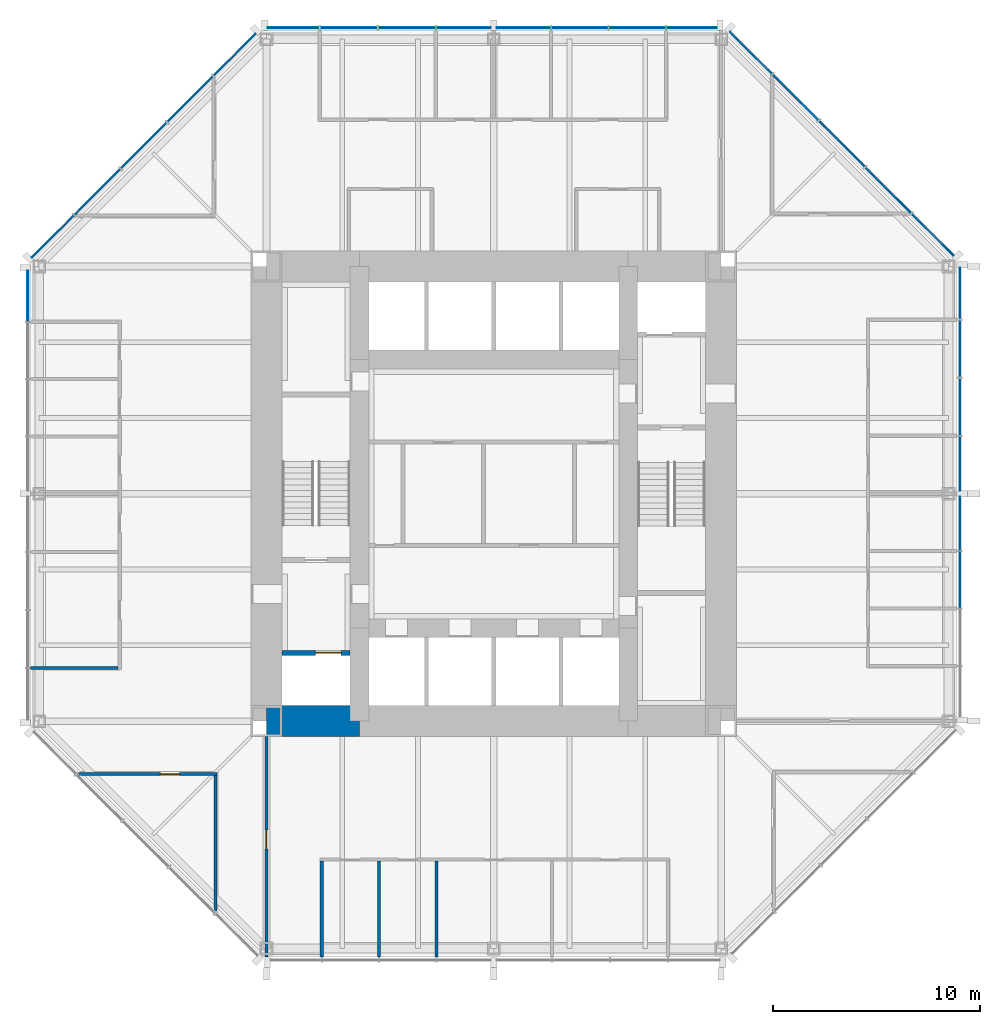
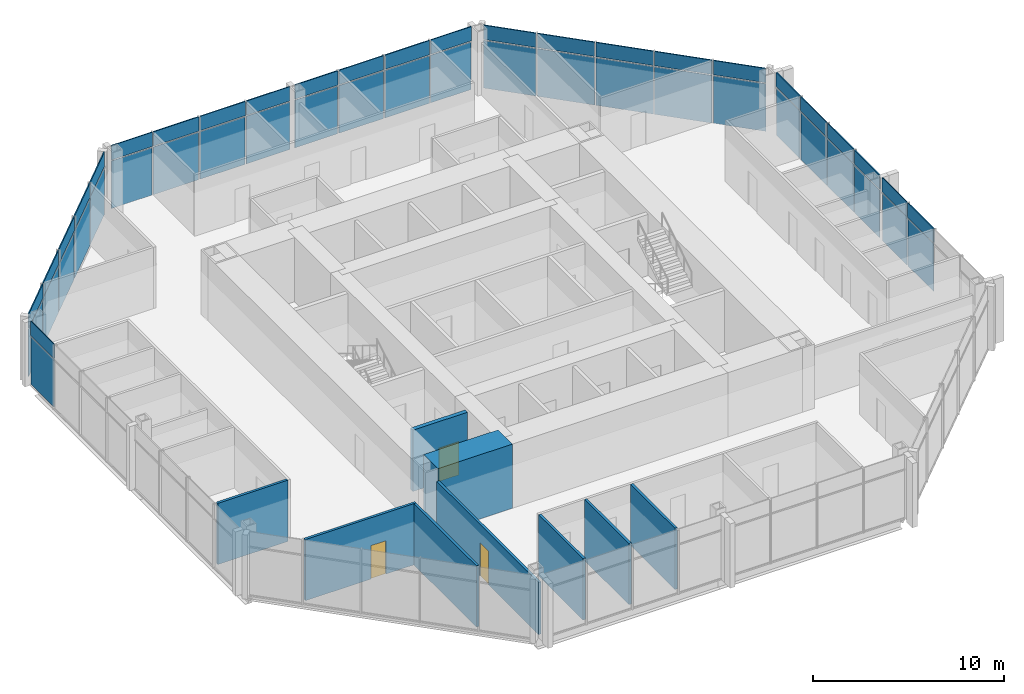
# One storey, part 8 of 12: 50 plates, 9 walls, 3 doors, 3 openings, 5 elements without a shape of their own.
"""IFC4 building model written with IfcOpenShell, lengths in metres."""

import ifcopenshell
import ifcopenshell.guid

model = None  # the IFC model being written
_history = None  # IfcOwnerHistory: only IFC2X3 demands one
_inside = {}  # id of a spatial element -> (the spatial element, [elements in it])
_under = {}  # id of a project, library or spatial element -> (it, [spatial elements below it])
_declared = {}  # id of a project -> (the project, [libraries it declares])
_typed = {}  # id of a type object -> (the type object, [elements of that type])
_made_of = {}  # id of a material, layer set ... -> (it, [elements and type objects made of it])


def new_model(schema):
    """Start an empty IFC model of exactly this schema.

    Asked for "IFC4X3", IfcOpenShell would pick the latest addendum, in which some entities
    have other attributes; the version numbers below select the first issue.
    IFC2X3 requires an IfcOwnerHistory on every rooted entity: one is made here for all.
    """
    global model, _history
    if schema == "IFC4X3":
        model = ifcopenshell.file(schema_version=(4, 3, 0, 0))
    else:
        model = ifcopenshell.file(schema=schema)
    _inside.clear()
    _under.clear()
    _declared.clear()
    _typed.clear()
    _made_of.clear()
    _history = None
    if model.schema == "IFC2X3":
        org = make("IfcOrganization", Name="unknown")
        user = make(
            "IfcPersonAndOrganization",
            ThePerson=make("IfcPerson", FamilyName="unknown"),
            TheOrganization=org,
        )
        app = make(
            "IfcApplication",
            ApplicationDeveloper=org,
            Version="unknown",
            ApplicationFullName="unknown",
            ApplicationIdentifier="unknown",
        )
        _history = make(
            "IfcOwnerHistory",
            OwningUser=user,
            OwningApplication=app,
            ChangeAction="ADDED",
            CreationDate=0,
        )
    return model


def make(cls, **values):
    """One entity of the class cls with the attributes given. An attribute that is None is left unset."""
    return model.create_entity(
        cls, **{name: value for name, value in values.items() if value is not None}
    )


def rooted(cls, **values):
    """An entity with a GlobalId (a new one), such as an element, a storey or a relation."""
    return make(cls, GlobalId=ifcopenshell.guid.new(), OwnerHistory=_history, **values)


def si_unit(unit_type, name, prefix=None):
    """IfcSIUnit, for example si_unit("LENGTHUNIT", "METRE", prefix="MILLI")."""
    return make("IfcSIUnit", UnitType=unit_type, Prefix=prefix, Name=name)


def assignment(units):
    """IfcUnitAssignment: the units of a project."""
    return None if units is None else make("IfcUnitAssignment", Units=units)


def point(xyz):
    """IfcCartesianPoint."""
    return None if xyz is None else make("IfcCartesianPoint", Coordinates=xyz)


def direction(xyz):
    """IfcDirection."""
    return None if xyz is None else make("IfcDirection", DirectionRatios=xyz)


def frame(location, z_axis=None, x_axis=None):
    """IfcAxis2Placement3D, a coordinate frame: its origin and axes. An axis left out is left unset."""
    return make(
        "IfcAxis2Placement3D",
        Location=point(location),
        Axis=direction(z_axis),
        RefDirection=direction(x_axis),
    )


def frame_2d(location, x_axis=None):
    """IfcAxis2Placement2D, a coordinate frame in the plane: its origin and x axis."""
    return make(
        "IfcAxis2Placement2D", Location=point(location), RefDirection=direction(x_axis)
    )


def origin():
    """The frame at (0, 0, 0) with its axes left unset."""
    return frame((0.0, 0.0, 0.0))


def origin_2d():
    """The frame at (0, 0) in the plane with its x axis left unset."""
    return frame_2d((0.0, 0.0))


def place(relative_to, where):
    """IfcLocalPlacement: puts the frame where relative to a parent placement (None: the world)."""
    return make(
        "IfcLocalPlacement", PlacementRelTo=relative_to, RelativePlacement=where
    )


def context(
    kind, dimensions, precision=None, world=None, true_north=None, identifier=None
):
    """IfcGeometricRepresentationContext, for example the 3D "Model" context."""
    return make(
        "IfcGeometricRepresentationContext",
        ContextIdentifier=identifier,
        ContextType=kind,
        CoordinateSpaceDimension=dimensions,
        Precision=precision,
        WorldCoordinateSystem=world,
        TrueNorth=true_north,
    )


def subcontext(parent, identifier, kind, view, scale=None):
    """IfcGeometricRepresentationSubContext, for example "Body" below "Model"."""
    return make(
        "IfcGeometricRepresentationSubContext",
        ContextIdentifier=identifier,
        ContextType=kind,
        ParentContext=parent,
        TargetScale=scale,
        TargetView=view,
    )


def project(units=None, contexts=None):
    """IfcProject with its units and contexts."""
    return rooted(
        "IfcProject",
        Name="project",
        RepresentationContexts=contexts,
        UnitsInContext=assignment(units),
    )


def spatial(cls, under=None, at=None, **own):
    """A site, building, storey or space (cls), placed at a placement, below another one or the project."""
    s = rooted(cls, ObjectPlacement=at, **own)
    if under is not None:
        _under.setdefault(under.id(), (under, []))[1].append(s)
    return s


def profile(cls, at=None, kind="AREA", **sizes):
    """A parametric profile (cls). Its sizes go by their IFC names, for example OverallWidth=200.0."""
    return make(cls, ProfileType=kind, Position=at, **sizes)


def rectangle(**sizes):
    """IfcRectangleProfileDef."""
    return profile("IfcRectangleProfileDef", **sizes)


def extrude(swept, where, along, depth):
    """IfcExtrudedAreaSolid: the profile swept, set in the frame where, extruded along a direction by depth."""
    return make(
        "IfcExtrudedAreaSolid",
        SweptArea=swept,
        Position=where,
        ExtrudedDirection=direction(along),
        Depth=depth,
    )


def shape(context_of_items, identifier, shape_type, items):
    """IfcShapeRepresentation: the items that make up one representation, for example the "Body"."""
    return make(
        "IfcShapeRepresentation",
        ContextOfItems=context_of_items,
        RepresentationIdentifier=identifier,
        RepresentationType=shape_type,
        Items=items,
    )


def material(Name=None, Category=None):
    """IfcMaterial."""
    return make("IfcMaterial", Name=Name, Category=Category)


def layer(
    of_material, thickness, ventilated=None, Name=None, Category=None, Priority=None
):
    """IfcMaterialLayer: one layer of a wall or slab, of a material (None: an air gap)."""
    return make(
        "IfcMaterialLayer",
        Material=of_material,
        LayerThickness=thickness,
        IsVentilated=ventilated,
        Name=Name,
        Category=Category,
        Priority=Priority,
    )


def layer_set(layers, Name=None):
    """IfcMaterialLayerSet."""
    return make("IfcMaterialLayerSet", MaterialLayers=layers, LayerSetName=Name)


def made_of(thing, what):
    """Note that an element or type object is made of a material, layer set ...; save() writes the relation."""
    if what is not None:
        _made_of.setdefault(what.id(), (what, []))[1].append(thing)
    return thing


def type_object(cls, material=None, **own):
    """A type object (cls), such as IfcWallType, which elements share."""
    return made_of(rooted(cls, **own), material)


def element(
    cls,
    number,
    at=None,
    inside=None,
    cuts=None,
    type_object=None,
    material=None,
    context=None,
    identifier="Body",
    shape_type=None,
    held_by="IfcProductDefinitionShape",
    body=None,
    shapes=None,
    **own,
):
    """One element of the class cls, such as IfcWall. Its Tag is "e" and its number.

    at: its placement. inside: the storey or other place that contains it. cuts: it is an
    opening in that element (IfcRelVoidsElement). A single representation is given by context,
    identifier, shape_type and body (its items); several are given by shapes. held_by: the class
    of the entity that holds the representations. save() writes the other relations.
    """
    e = rooted(cls, Tag="e%d" % number, ObjectPlacement=at, **own)
    if body is not None:
        shapes = [shape(context, identifier, shape_type, body)]
    if shapes is not None:
        e.Representation = make(held_by, Representations=shapes)
    if inside is not None:
        _inside.setdefault(inside.id(), (inside, []))[1].append(e)
    if cuts is not None:
        rooted(
            "IfcRelVoidsElement", RelatingBuildingElement=cuts, RelatedOpeningElement=e
        )
    if type_object is not None:
        _typed.setdefault(type_object.id(), (type_object, []))[1].append(e)
    return made_of(e, material)


def fill(opening, filler):
    """IfcRelFillsElement: the door or window that sits in an opening."""
    return rooted(
        "IfcRelFillsElement",
        RelatingOpeningElement=opening,
        RelatedBuildingElement=filler,
    )


def aggregate(whole, parts):
    """IfcRelAggregates: a whole, such as a stair, and the parts it consists of."""
    return rooted("IfcRelAggregates", RelatingObject=whole, RelatedObjects=parts)


def save(model, path):
    """Write the relations noted so far, then the file.

    IfcRelAggregates (storeys below a building ...), IfcRelContainedInSpatialStructure (elements
    in a storey), IfcRelDefinesByType, IfcRelAssociatesMaterial and IfcRelDeclares: one each for
    every whole, place, type object, material and project.
    """
    for whole, parts in _under.values():
        aggregate(whole, parts)
    for where, things in _inside.values():
        rooted(
            "IfcRelContainedInSpatialStructure",
            RelatedElements=things,
            RelatingStructure=where,
        )
    for kind, things in _typed.values():
        rooted("IfcRelDefinesByType", RelatedObjects=things, RelatingType=kind)
    for what, things in _made_of.values():
        rooted("IfcRelAssociatesMaterial", RelatedObjects=things, RelatingMaterial=what)
    for by, libraries in _declared.values():
        rooted("IfcRelDeclares", RelatingContext=by, RelatedDefinitions=libraries)
    model.write(path)


model = new_model("IFC4")

# Units and contexts
model_context = context("Model", 3, precision=1e-05, world=origin(), true_north=direction((0.0, 1.0)))
body_context = subcontext(model_context, "Body", "Model", "MODEL_VIEW")
ifc_project = project(units=[si_unit("LENGTHUNIT", "METRE"), si_unit("AREAUNIT", "SQUARE_METRE"), si_unit("VOLUMEUNIT", "CUBIC_METRE"), si_unit("PLANEANGLEUNIT", "RADIAN"), si_unit("MASSUNIT", "GRAM", prefix="KILO")], contexts=[model_context])

# Site, building, storey
site_placement = place(None, origin())
site = spatial("IfcSite", under=ifc_project, at=site_placement, CompositionType="ELEMENT")
building_placement = place(site_placement, origin())
building = spatial("IfcBuilding", under=site, at=building_placement, Name="Trevanion Tower", CompositionType="ELEMENT")
storey_placement = place(building_placement, frame((0.0, 0.0, 162.300048828125)))
storey = spatial("IfcBuildingStorey", under=building, at=storey_placement, Name="L38", CompositionType="ELEMENT", Elevation=162.300048828125)

# Curtain wall, plates
ifc_material_1 = material(Name="Aluminium and glass", Category="aluminium")
curtain_wall_type = type_object("IfcCurtainWallType", Name="CW2 curtain wall", PredefinedType="USERDEFINED", material=ifc_material_1)
curtain_wall_1_placement = place(storey_placement, origin())
curtain_wall_1 = element("IfcCurtainWall", 1, at=curtain_wall_1_placement, inside=storey, type_object=curtain_wall_type, Name="CW2 L38 0", ObjectType="UNITISED CURTAIN WALL", PredefinedType="USERDEFINED")
ifc_material_2 = material(Name="Aluminium spandrel panel", Category="aluminium")
ifc_layer_1 = layer(ifc_material_2, 0.06005859375)
ifc_layer_set_1 = layer_set([ifc_layer_1], Name="CW2 spandrel panel")
plate_type_1 = type_object("IfcPlateType", Name="CW2 spandrel panel", PredefinedType="CURTAIN_PANEL", material=ifc_layer_set_1)
plate_1_placement = place(storey_placement, frame((22.550048828125, -4.16162109375, 2.99755859375), z_axis=(0.0, 0.0, 1.0), x_axis=(0.0, 1.0, 0.0)))
plate_1 = element("IfcPlate", 2, at=plate_1_placement, type_object=plate_type_1, Name="CW2 panel 3.2", PredefinedType="CURTAIN_PANEL", context=body_context, shape_type="SweptSolid", body=[
    extrude(rectangle(XDim=2.699462890625, YDim=0.06005859375, at=origin_2d()), origin(), (0.0, 0.0, 1.0), 0.91259765625),
])
plate_2_placement = place(storey_placement, frame((22.550048828125, -1.443603515625, 2.99755859375), z_axis=(0.0, 0.0, 1.0), x_axis=(0.0, 1.0, 0.0)))
plate_2 = element("IfcPlate", 3, at=plate_2_placement, type_object=plate_type_1, Name="CW2 panel 4.2", PredefinedType="CURTAIN_PANEL", context=body_context, shape_type="SweptSolid", body=[
    extrude(rectangle(XDim=2.5869140625, YDim=0.06005859375, at=origin_2d()), origin(), (0.0, 0.0, 1.0), 0.91259765625),
])
plate_3_placement = place(storey_placement, frame((22.550048828125, 1.459716796875, 2.99755859375), z_axis=(0.0, 0.0, 1.0), x_axis=(0.0, 1.0, 0.0)))
plate_3 = element("IfcPlate", 4, at=plate_3_placement, type_object=plate_type_1, Name="CW2 panel 5.2", PredefinedType="CURTAIN_PANEL", context=body_context, shape_type="SweptSolid", body=[
    extrude(rectangle(XDim=2.619384765625, YDim=0.06005859375, at=origin_2d()), origin(), (0.0, 0.0, 1.0), 0.91259765625),
])
plate_4_placement = place(storey_placement, frame((22.550048828125, 4.21044921875, 2.99755859375), z_axis=(0.0, 0.0, 1.0), x_axis=(0.0, 1.0, 0.0)))
plate_4 = element("IfcPlate", 5, at=plate_4_placement, type_object=plate_type_1, Name="CW2 panel 6.2", PredefinedType="CURTAIN_PANEL", context=body_context, shape_type="SweptSolid", body=[
    extrude(rectangle(XDim=2.73193359375, YDim=0.06005859375, at=origin_2d()), origin(), (0.0, 0.0, 1.0), 0.91259765625),
])
plate_5_placement = place(storey_placement, frame((22.550048828125, 7.017333984375, 2.99755859375), z_axis=(0.0, 0.0, 1.0), x_axis=(0.0, 1.0, 0.0)))
plate_5 = element("IfcPlate", 6, at=plate_5_placement, type_object=plate_type_1, Name="CW2 panel 7.2", PredefinedType="CURTAIN_PANEL", context=body_context, shape_type="SweptSolid", body=[
    extrude(rectangle(XDim=2.73193359375, YDim=0.06005859375, at=origin_2d()), origin(), (0.0, 0.0, 1.0), 0.91259765625),
])
plate_6_placement = place(storey_placement, frame((22.550048828125, 9.693115234375, 2.99755859375), z_axis=(0.0, 0.0, 1.0), x_axis=(0.0, 1.0, 0.0)))
plate_6 = element("IfcPlate", 7, at=plate_6_placement, type_object=plate_type_1, Name="CW2 panel 8.2", PredefinedType="CURTAIN_PANEL", context=body_context, shape_type="SweptSolid", body=[
    extrude(rectangle(XDim=2.469482421875, YDim=0.06005859375, at=origin_2d()), origin(), (0.0, 0.0, 1.0), 0.91259765625),
])

curtain_wall_2_placement = place(storey_placement, origin())
curtain_wall_2 = element("IfcCurtainWall", 8, at=curtain_wall_2_placement, inside=storey, type_object=curtain_wall_type, Name="CW2 L38 1", ObjectType="UNITISED CURTAIN WALL", PredefinedType="USERDEFINED")
plate_7_placement = place(storey_placement, frame((21.2421875, 12.53564453125, 2.99755859375), z_axis=(0.0, 0.0, 1.0), x_axis=(-0.707106781187, 0.707106781187, 0.0)))
plate_7 = element("IfcPlate", 9, at=plate_7_placement, type_object=plate_type_1, Name="CW2 panel 1.2", PredefinedType="CURTAIN_PANEL", context=body_context, shape_type="SweptSolid", body=[
    extrude(rectangle(XDim=2.8388671875, YDim=0.06005859375, at=origin_2d()), origin(), (0.0, 0.0, 1.0), 0.91259765625),
])
plate_8_placement = place(storey_placement, frame((19.089111328125, 14.688720703125, 2.99755859375), z_axis=(0.0, 0.0, 1.0), x_axis=(-0.707106781187, 0.707106781187, 0.0)))
plate_8 = element("IfcPlate", 10, at=plate_8_placement, type_object=plate_type_1, Name="CW2 panel 2.2", PredefinedType="CURTAIN_PANEL", context=body_context, shape_type="SweptSolid", body=[
    extrude(rectangle(XDim=3.101318359375, YDim=0.06005859375, at=origin_2d()), origin(), (0.0, 0.0, 1.0), 0.91259765625),
])
plate_9_placement = place(storey_placement, frame((16.843017578125, 16.934814453125, 2.99755859375), z_axis=(0.0, 0.0, 1.0), x_axis=(-0.707106781187, 0.707106781187, 0.0)))
plate_9 = element("IfcPlate", 11, at=plate_9_placement, type_object=plate_type_1, Name="CW2 panel 3.2", PredefinedType="CURTAIN_PANEL", context=body_context, shape_type="SweptSolid", body=[
    extrude(rectangle(XDim=3.101318359375, YDim=0.06005859375, at=origin_2d()), origin(), (0.0, 0.0, 1.0), 0.91259765625),
])
plate_10_placement = place(storey_placement, frame((14.596923828125, 19.180908203125, 2.99755859375), z_axis=(0.0, 0.0, 1.0), x_axis=(-0.707106781187, 0.707106781187, 0.0)))
plate_10 = element("IfcPlate", 12, at=plate_10_placement, type_object=plate_type_1, Name="CW2 panel 4.2", PredefinedType="CURTAIN_PANEL", context=body_context, shape_type="SweptSolid", body=[
    extrude(rectangle(XDim=3.101318359375, YDim=0.06005859375, at=origin_2d()), origin(), (0.0, 0.0, 1.0), 0.91259765625),
])
plate_11_placement = place(storey_placement, frame((12.443603515625, 21.334228515625, 2.99755859375), z_axis=(0.0, 0.0, 1.0), x_axis=(-0.707106781187, 0.707106781187, 0.0)))
plate_11 = element("IfcPlate", 13, at=plate_11_placement, type_object=plate_type_1, Name="CW2 panel 5.2", PredefinedType="CURTAIN_PANEL", context=body_context, shape_type="SweptSolid", body=[
    extrude(rectangle(XDim=2.8388671875, YDim=0.06005859375, at=origin_2d()), origin(), (0.0, 0.0, 1.0), 0.91259765625),
])

curtain_wall_3_placement = place(storey_placement, origin())
curtain_wall_3 = element("IfcCurtainWall", 14, at=curtain_wall_3_placement, inside=storey, type_object=curtain_wall_type, Name="CW2 L38 2", ObjectType="UNITISED CURTAIN WALL", PredefinedType="USERDEFINED")
plate_12_placement = place(storey_placement, frame((9.579345703125, 22.550048828125, 2.99755859375), z_axis=(0.0, 0.0, 1.0), x_axis=(-1.0, 0.0, 0.0)))
plate_12 = element("IfcPlate", 15, at=plate_12_placement, type_object=plate_type_1, Name="CW2 panel 1.2", PredefinedType="CURTAIN_PANEL", context=body_context, shape_type="SweptSolid", body=[
    extrude(rectangle(XDim=2.43701171875, YDim=0.06005859375, at=origin_2d()), origin(), (0.0, 0.0, 1.0), 0.91259765625),
])
plate_13_placement = place(storey_placement, frame((6.93603515625, 22.550048828125, 2.99755859375), z_axis=(0.0, 0.0, 1.0), x_axis=(-1.0, 0.0, 0.0)))
plate_13 = element("IfcPlate", 16, at=plate_13_placement, type_object=plate_type_1, Name="CW2 panel 2.2", PredefinedType="CURTAIN_PANEL", context=body_context, shape_type="SweptSolid", body=[
    extrude(rectangle(XDim=2.699462890625, YDim=0.06005859375, at=origin_2d()), origin(), (0.0, 0.0, 1.0), 0.91259765625),
])
plate_14_placement = place(storey_placement, frame((4.16162109375, 22.550048828125, 2.99755859375), z_axis=(0.0, 0.0, 1.0), x_axis=(-1.0, 0.0, 0.0)))
plate_14 = element("IfcPlate", 17, at=plate_14_placement, type_object=plate_type_1, Name="CW2 panel 3.2", PredefinedType="CURTAIN_PANEL", context=body_context, shape_type="SweptSolid", body=[
    extrude(rectangle(XDim=2.699462890625, YDim=0.06005859375, at=origin_2d()), origin(), (0.0, 0.0, 1.0), 0.91259765625),
])
plate_15_placement = place(storey_placement, frame((1.443603515625, 22.550048828125, 2.99755859375), z_axis=(0.0, 0.0, 1.0), x_axis=(-1.0, 0.0, 0.0)))
plate_15 = element("IfcPlate", 18, at=plate_15_placement, type_object=plate_type_1, Name="CW2 panel 4.2", PredefinedType="CURTAIN_PANEL", context=body_context, shape_type="SweptSolid", body=[
    extrude(rectangle(XDim=2.5869140625, YDim=0.06005859375, at=origin_2d()), origin(), (0.0, 0.0, 1.0), 0.91259765625),
])
plate_16_placement = place(storey_placement, frame((-1.459716796875, 22.550048828125, 2.99755859375), z_axis=(0.0, 0.0, 1.0), x_axis=(-1.0, 0.0, 0.0)))
plate_16 = element("IfcPlate", 19, at=plate_16_placement, type_object=plate_type_1, Name="CW2 panel 5.2", PredefinedType="CURTAIN_PANEL", context=body_context, shape_type="SweptSolid", body=[
    extrude(rectangle(XDim=2.619384765625, YDim=0.06005859375, at=origin_2d()), origin(), (0.0, 0.0, 1.0), 0.91259765625),
])
plate_17_placement = place(storey_placement, frame((-4.21044921875, 22.550048828125, 2.99755859375), z_axis=(0.0, 0.0, 1.0), x_axis=(-1.0, 0.0, 0.0)))
plate_17 = element("IfcPlate", 20, at=plate_17_placement, type_object=plate_type_1, Name="CW2 panel 6.2", PredefinedType="CURTAIN_PANEL", context=body_context, shape_type="SweptSolid", body=[
    extrude(rectangle(XDim=2.73193359375, YDim=0.06005859375, at=origin_2d()), origin(), (0.0, 0.0, 1.0), 0.91259765625),
])
plate_18_placement = place(storey_placement, frame((-7.017333984375, 22.550048828125, 2.99755859375), z_axis=(0.0, 0.0, 1.0), x_axis=(-1.0, 0.0, 0.0)))
plate_18 = element("IfcPlate", 21, at=plate_18_placement, type_object=plate_type_1, Name="CW2 panel 7.2", PredefinedType="CURTAIN_PANEL", context=body_context, shape_type="SweptSolid", body=[
    extrude(rectangle(XDim=2.73193359375, YDim=0.06005859375, at=origin_2d()), origin(), (0.0, 0.0, 1.0), 0.91259765625),
])
plate_19_placement = place(storey_placement, frame((-9.693115234375, 22.550048828125, 2.99755859375), z_axis=(0.0, 0.0, 1.0), x_axis=(-1.0, 0.0, 0.0)))
plate_19 = element("IfcPlate", 22, at=plate_19_placement, type_object=plate_type_1, Name="CW2 panel 8.2", PredefinedType="CURTAIN_PANEL", context=body_context, shape_type="SweptSolid", body=[
    extrude(rectangle(XDim=2.469482421875, YDim=0.06005859375, at=origin_2d()), origin(), (0.0, 0.0, 1.0), 0.91259765625),
])

curtain_wall_4_placement = place(storey_placement, origin())
curtain_wall_4 = element("IfcCurtainWall", 23, at=curtain_wall_4_placement, inside=storey, type_object=curtain_wall_type, Name="CW2 L38 3", ObjectType="UNITISED CURTAIN WALL", PredefinedType="USERDEFINED")
plate_20_placement = place(storey_placement, frame((-12.53564453125, 21.2421875, 2.99755859375), z_axis=(0.0, 0.0, 1.0), x_axis=(-0.707106781187, -0.707106781187, 0.0)))
plate_20 = element("IfcPlate", 24, at=plate_20_placement, type_object=plate_type_1, Name="CW2 panel 1.2", PredefinedType="CURTAIN_PANEL", context=body_context, shape_type="SweptSolid", body=[
    extrude(rectangle(XDim=2.8388671875, YDim=0.06005859375, at=origin_2d()), origin(), (0.0, 0.0, 1.0), 0.91259765625),
])
plate_21_placement = place(storey_placement, frame((-14.688720703125, 19.089111328125, 2.99755859375), z_axis=(0.0, 0.0, 1.0), x_axis=(-0.707106781187, -0.707106781187, 0.0)))
plate_21 = element("IfcPlate", 25, at=plate_21_placement, type_object=plate_type_1, Name="CW2 panel 2.2", PredefinedType="CURTAIN_PANEL", context=body_context, shape_type="SweptSolid", body=[
    extrude(rectangle(XDim=3.101318359375, YDim=0.06005859375, at=origin_2d()), origin(), (0.0, 0.0, 1.0), 0.91259765625),
])
plate_22_placement = place(storey_placement, frame((-16.934814453125, 16.843017578125, 2.99755859375), z_axis=(0.0, 0.0, 1.0), x_axis=(-0.707106781187, -0.707106781187, 0.0)))
plate_22 = element("IfcPlate", 26, at=plate_22_placement, type_object=plate_type_1, Name="CW2 panel 3.2", PredefinedType="CURTAIN_PANEL", context=body_context, shape_type="SweptSolid", body=[
    extrude(rectangle(XDim=3.101318359375, YDim=0.06005859375, at=origin_2d()), origin(), (0.0, 0.0, 1.0), 0.91259765625),
])
plate_23_placement = place(storey_placement, frame((-19.180908203125, 14.596923828125, 2.99755859375), z_axis=(0.0, 0.0, 1.0), x_axis=(-0.707106781187, -0.707106781187, 0.0)))
plate_23 = element("IfcPlate", 27, at=plate_23_placement, type_object=plate_type_1, Name="CW2 panel 4.2", PredefinedType="CURTAIN_PANEL", context=body_context, shape_type="SweptSolid", body=[
    extrude(rectangle(XDim=3.101318359375, YDim=0.06005859375, at=origin_2d()), origin(), (0.0, 0.0, 1.0), 0.91259765625),
])
plate_24_placement = place(storey_placement, frame((-21.334228515625, 12.443603515625, 2.99755859375), z_axis=(0.0, 0.0, 1.0), x_axis=(-0.707106781187, -0.707106781187, 0.0)))
plate_24 = element("IfcPlate", 28, at=plate_24_placement, type_object=plate_type_1, Name="CW2 panel 5.2", PredefinedType="CURTAIN_PANEL", context=body_context, shape_type="SweptSolid", body=[
    extrude(rectangle(XDim=2.8388671875, YDim=0.06005859375, at=origin_2d()), origin(), (0.0, 0.0, 1.0), 0.91259765625),
])

# Curtain wall, plate
curtain_wall_5_placement = place(storey_placement, origin())
curtain_wall_5 = element("IfcCurtainWall", 29, at=curtain_wall_5_placement, inside=storey, type_object=curtain_wall_type, Name="CW2 L38 4", ObjectType="UNITISED CURTAIN WALL", PredefinedType="USERDEFINED")
plate_25_placement = place(storey_placement, frame((-22.550048828125, 9.579345703125, 2.99755859375), z_axis=(0.0, 0.0, 1.0), x_axis=(0.0, -1.0, 0.0)))
plate_25 = element("IfcPlate", 30, at=plate_25_placement, type_object=plate_type_1, Name="CW2 panel 1.2", PredefinedType="CURTAIN_PANEL", context=body_context, shape_type="SweptSolid", body=[
    extrude(rectangle(XDim=2.43701171875, YDim=0.06005859375, at=origin_2d()), origin(), (0.0, 0.0, 1.0), 0.91259765625),
])

# Plate
ifc_material_3 = material(Name="Insulating glass unit", Category="glass")
ifc_layer_2 = layer(ifc_material_3, 0.028076171875)
ifc_layer_set_2 = layer_set([ifc_layer_2], Name="CW2 vision panel")
plate_type_2 = type_object("IfcPlateType", Name="CW2 vision panel", PredefinedType="CURTAIN_PANEL", material=ifc_layer_set_2)
plate_26_placement = place(storey_placement, frame((22.550048828125, -4.16162109375, -0.114990234375), z_axis=(0.0, 0.0, 1.0), x_axis=(0.0, 1.0, 0.0)))
plate_26 = element("IfcPlate", 31, at=plate_26_placement, type_object=plate_type_2, Name="CW2 panel 3.1", PredefinedType="CURTAIN_PANEL", context=body_context, shape_type="SweptSolid", body=[
    extrude(rectangle(XDim=2.699462890625, YDim=0.028076171875, at=origin_2d()), origin(), (0.0, 0.0, 1.0), 3.03759765625),
])

plate_27_placement = place(storey_placement, frame((22.550048828125, -1.443603515625, -0.114990234375), z_axis=(0.0, 0.0, 1.0), x_axis=(0.0, 1.0, 0.0)))
plate_27 = element("IfcPlate", 32, at=plate_27_placement, type_object=plate_type_2, Name="CW2 panel 4.1", PredefinedType="CURTAIN_PANEL", context=body_context, shape_type="SweptSolid", body=[
    extrude(rectangle(XDim=2.5869140625, YDim=0.028076171875, at=origin_2d()), origin(), (0.0, 0.0, 1.0), 3.03759765625),
])

plate_28_placement = place(storey_placement, frame((22.550048828125, 1.459716796875, -0.114990234375), z_axis=(0.0, 0.0, 1.0), x_axis=(0.0, 1.0, 0.0)))
plate_28 = element("IfcPlate", 33, at=plate_28_placement, type_object=plate_type_2, Name="CW2 panel 5.1", PredefinedType="CURTAIN_PANEL", context=body_context, shape_type="SweptSolid", body=[
    extrude(rectangle(XDim=2.619384765625, YDim=0.028076171875, at=origin_2d()), origin(), (0.0, 0.0, 1.0), 3.03759765625),
])

plate_29_placement = place(storey_placement, frame((22.550048828125, 4.21044921875, -0.114990234375), z_axis=(0.0, 0.0, 1.0), x_axis=(0.0, 1.0, 0.0)))
plate_29 = element("IfcPlate", 34, at=plate_29_placement, type_object=plate_type_2, Name="CW2 panel 6.1", PredefinedType="CURTAIN_PANEL", context=body_context, shape_type="SweptSolid", body=[
    extrude(rectangle(XDim=2.73193359375, YDim=0.028076171875, at=origin_2d()), origin(), (0.0, 0.0, 1.0), 3.03759765625),
])

plate_30_placement = place(storey_placement, frame((22.550048828125, 7.017333984375, -0.114990234375), z_axis=(0.0, 0.0, 1.0), x_axis=(0.0, 1.0, 0.0)))
plate_30 = element("IfcPlate", 35, at=plate_30_placement, type_object=plate_type_2, Name="CW2 panel 7.1", PredefinedType="CURTAIN_PANEL", context=body_context, shape_type="SweptSolid", body=[
    extrude(rectangle(XDim=2.73193359375, YDim=0.028076171875, at=origin_2d()), origin(), (0.0, 0.0, 1.0), 3.03759765625),
])

plate_31_placement = place(storey_placement, frame((22.550048828125, 9.693115234375, -0.114990234375), z_axis=(0.0, 0.0, 1.0), x_axis=(0.0, 1.0, 0.0)))
plate_31 = element("IfcPlate", 36, at=plate_31_placement, type_object=plate_type_2, Name="CW2 panel 8.1", PredefinedType="CURTAIN_PANEL", context=body_context, shape_type="SweptSolid", body=[
    extrude(rectangle(XDim=2.469482421875, YDim=0.028076171875, at=origin_2d()), origin(), (0.0, 0.0, 1.0), 3.03759765625),
])

aggregate(curtain_wall_1, [plate_26, plate_1, plate_27, plate_2, plate_28, plate_3, plate_29, plate_4, plate_30, plate_5, plate_31, plate_6])

plate_32_placement = place(storey_placement, frame((21.2421875, 12.53564453125, -0.114990234375), z_axis=(0.0, 0.0, 1.0), x_axis=(-0.707106781187, 0.707106781187, 0.0)))
plate_32 = element("IfcPlate", 37, at=plate_32_placement, type_object=plate_type_2, Name="CW2 panel 1.1", PredefinedType="CURTAIN_PANEL", context=body_context, shape_type="SweptSolid", body=[
    extrude(rectangle(XDim=2.8388671875, YDim=0.028076171875, at=origin_2d()), origin(), (0.0, 0.0, 1.0), 3.03759765625),
])

plate_33_placement = place(storey_placement, frame((19.089111328125, 14.688720703125, -0.114990234375), z_axis=(0.0, 0.0, 1.0), x_axis=(-0.707106781187, 0.707106781187, 0.0)))
plate_33 = element("IfcPlate", 38, at=plate_33_placement, type_object=plate_type_2, Name="CW2 panel 2.1", PredefinedType="CURTAIN_PANEL", context=body_context, shape_type="SweptSolid", body=[
    extrude(rectangle(XDim=3.101318359375, YDim=0.028076171875, at=origin_2d()), origin(), (0.0, 0.0, 1.0), 3.03759765625),
])

plate_34_placement = place(storey_placement, frame((16.843017578125, 16.934814453125, -0.114990234375), z_axis=(0.0, 0.0, 1.0), x_axis=(-0.707106781187, 0.707106781187, 0.0)))
plate_34 = element("IfcPlate", 39, at=plate_34_placement, type_object=plate_type_2, Name="CW2 panel 3.1", PredefinedType="CURTAIN_PANEL", context=body_context, shape_type="SweptSolid", body=[
    extrude(rectangle(XDim=3.101318359375, YDim=0.028076171875, at=origin_2d()), origin(), (0.0, 0.0, 1.0), 3.03759765625),
])

plate_35_placement = place(storey_placement, frame((14.596923828125, 19.180908203125, -0.114990234375), z_axis=(0.0, 0.0, 1.0), x_axis=(-0.707106781187, 0.707106781187, 0.0)))
plate_35 = element("IfcPlate", 40, at=plate_35_placement, type_object=plate_type_2, Name="CW2 panel 4.1", PredefinedType="CURTAIN_PANEL", context=body_context, shape_type="SweptSolid", body=[
    extrude(rectangle(XDim=3.101318359375, YDim=0.028076171875, at=origin_2d()), origin(), (0.0, 0.0, 1.0), 3.03759765625),
])

plate_36_placement = place(storey_placement, frame((12.443603515625, 21.334228515625, -0.114990234375), z_axis=(0.0, 0.0, 1.0), x_axis=(-0.707106781187, 0.707106781187, 0.0)))
plate_36 = element("IfcPlate", 41, at=plate_36_placement, type_object=plate_type_2, Name="CW2 panel 5.1", PredefinedType="CURTAIN_PANEL", context=body_context, shape_type="SweptSolid", body=[
    extrude(rectangle(XDim=2.8388671875, YDim=0.028076171875, at=origin_2d()), origin(), (0.0, 0.0, 1.0), 3.03759765625),
])

aggregate(curtain_wall_2, [plate_32, plate_7, plate_33, plate_8, plate_34, plate_9, plate_35, plate_10, plate_36, plate_11])

plate_37_placement = place(storey_placement, frame((9.579345703125, 22.550048828125, -0.114990234375), z_axis=(0.0, 0.0, 1.0), x_axis=(-1.0, 0.0, 0.0)))
plate_37 = element("IfcPlate", 42, at=plate_37_placement, type_object=plate_type_2, Name="CW2 panel 1.1", PredefinedType="CURTAIN_PANEL", context=body_context, shape_type="SweptSolid", body=[
    extrude(rectangle(XDim=2.43701171875, YDim=0.028076171875, at=origin_2d()), origin(), (0.0, 0.0, 1.0), 3.03759765625),
])

plate_38_placement = place(storey_placement, frame((6.93603515625, 22.550048828125, -0.114990234375), z_axis=(0.0, 0.0, 1.0), x_axis=(-1.0, 0.0, 0.0)))
plate_38 = element("IfcPlate", 43, at=plate_38_placement, type_object=plate_type_2, Name="CW2 panel 2.1", PredefinedType="CURTAIN_PANEL", context=body_context, shape_type="SweptSolid", body=[
    extrude(rectangle(XDim=2.699462890625, YDim=0.028076171875, at=origin_2d()), origin(), (0.0, 0.0, 1.0), 3.03759765625),
])

plate_39_placement = place(storey_placement, frame((4.16162109375, 22.550048828125, -0.114990234375), z_axis=(0.0, 0.0, 1.0), x_axis=(-1.0, 0.0, 0.0)))
plate_39 = element("IfcPlate", 44, at=plate_39_placement, type_object=plate_type_2, Name="CW2 panel 3.1", PredefinedType="CURTAIN_PANEL", context=body_context, shape_type="SweptSolid", body=[
    extrude(rectangle(XDim=2.699462890625, YDim=0.028076171875, at=origin_2d()), origin(), (0.0, 0.0, 1.0), 3.03759765625),
])

plate_40_placement = place(storey_placement, frame((1.443603515625, 22.550048828125, -0.114990234375), z_axis=(0.0, 0.0, 1.0), x_axis=(-1.0, 0.0, 0.0)))
plate_40 = element("IfcPlate", 45, at=plate_40_placement, type_object=plate_type_2, Name="CW2 panel 4.1", PredefinedType="CURTAIN_PANEL", context=body_context, shape_type="SweptSolid", body=[
    extrude(rectangle(XDim=2.5869140625, YDim=0.028076171875, at=origin_2d()), origin(), (0.0, 0.0, 1.0), 3.03759765625),
])

plate_41_placement = place(storey_placement, frame((-1.459716796875, 22.550048828125, -0.114990234375), z_axis=(0.0, 0.0, 1.0), x_axis=(-1.0, 0.0, 0.0)))
plate_41 = element("IfcPlate", 46, at=plate_41_placement, type_object=plate_type_2, Name="CW2 panel 5.1", PredefinedType="CURTAIN_PANEL", context=body_context, shape_type="SweptSolid", body=[
    extrude(rectangle(XDim=2.619384765625, YDim=0.028076171875, at=origin_2d()), origin(), (0.0, 0.0, 1.0), 3.03759765625),
])

plate_42_placement = place(storey_placement, frame((-4.21044921875, 22.550048828125, -0.114990234375), z_axis=(0.0, 0.0, 1.0), x_axis=(-1.0, 0.0, 0.0)))
plate_42 = element("IfcPlate", 47, at=plate_42_placement, type_object=plate_type_2, Name="CW2 panel 6.1", PredefinedType="CURTAIN_PANEL", context=body_context, shape_type="SweptSolid", body=[
    extrude(rectangle(XDim=2.73193359375, YDim=0.028076171875, at=origin_2d()), origin(), (0.0, 0.0, 1.0), 3.03759765625),
])

plate_43_placement = place(storey_placement, frame((-7.017333984375, 22.550048828125, -0.114990234375), z_axis=(0.0, 0.0, 1.0), x_axis=(-1.0, 0.0, 0.0)))
plate_43 = element("IfcPlate", 48, at=plate_43_placement, type_object=plate_type_2, Name="CW2 panel 7.1", PredefinedType="CURTAIN_PANEL", context=body_context, shape_type="SweptSolid", body=[
    extrude(rectangle(XDim=2.73193359375, YDim=0.028076171875, at=origin_2d()), origin(), (0.0, 0.0, 1.0), 3.03759765625),
])

plate_44_placement = place(storey_placement, frame((-9.693115234375, 22.550048828125, -0.114990234375), z_axis=(0.0, 0.0, 1.0), x_axis=(-1.0, 0.0, 0.0)))
plate_44 = element("IfcPlate", 49, at=plate_44_placement, type_object=plate_type_2, Name="CW2 panel 8.1", PredefinedType="CURTAIN_PANEL", context=body_context, shape_type="SweptSolid", body=[
    extrude(rectangle(XDim=2.469482421875, YDim=0.028076171875, at=origin_2d()), origin(), (0.0, 0.0, 1.0), 3.03759765625),
])

aggregate(curtain_wall_3, [plate_37, plate_12, plate_38, plate_13, plate_39, plate_14, plate_40, plate_15, plate_41, plate_16, plate_42, plate_17, plate_43, plate_18, plate_44, plate_19])

plate_45_placement = place(storey_placement, frame((-12.53564453125, 21.2421875, -0.114990234375), z_axis=(0.0, 0.0, 1.0), x_axis=(-0.707106781187, -0.707106781187, 0.0)))
plate_45 = element("IfcPlate", 50, at=plate_45_placement, type_object=plate_type_2, Name="CW2 panel 1.1", PredefinedType="CURTAIN_PANEL", context=body_context, shape_type="SweptSolid", body=[
    extrude(rectangle(XDim=2.8388671875, YDim=0.028076171875, at=origin_2d()), origin(), (0.0, 0.0, 1.0), 3.03759765625),
])

plate_46_placement = place(storey_placement, frame((-14.688720703125, 19.089111328125, -0.114990234375), z_axis=(0.0, 0.0, 1.0), x_axis=(-0.707106781187, -0.707106781187, 0.0)))
plate_46 = element("IfcPlate", 51, at=plate_46_placement, type_object=plate_type_2, Name="CW2 panel 2.1", PredefinedType="CURTAIN_PANEL", context=body_context, shape_type="SweptSolid", body=[
    extrude(rectangle(XDim=3.101318359375, YDim=0.028076171875, at=origin_2d()), origin(), (0.0, 0.0, 1.0), 3.03759765625),
])

plate_47_placement = place(storey_placement, frame((-16.934814453125, 16.843017578125, -0.114990234375), z_axis=(0.0, 0.0, 1.0), x_axis=(-0.707106781187, -0.707106781187, 0.0)))
plate_47 = element("IfcPlate", 52, at=plate_47_placement, type_object=plate_type_2, Name="CW2 panel 3.1", PredefinedType="CURTAIN_PANEL", context=body_context, shape_type="SweptSolid", body=[
    extrude(rectangle(XDim=3.101318359375, YDim=0.028076171875, at=origin_2d()), origin(), (0.0, 0.0, 1.0), 3.03759765625),
])

plate_48_placement = place(storey_placement, frame((-19.180908203125, 14.596923828125, -0.114990234375), z_axis=(0.0, 0.0, 1.0), x_axis=(-0.707106781187, -0.707106781187, 0.0)))
plate_48 = element("IfcPlate", 53, at=plate_48_placement, type_object=plate_type_2, Name="CW2 panel 4.1", PredefinedType="CURTAIN_PANEL", context=body_context, shape_type="SweptSolid", body=[
    extrude(rectangle(XDim=3.101318359375, YDim=0.028076171875, at=origin_2d()), origin(), (0.0, 0.0, 1.0), 3.03759765625),
])

plate_49_placement = place(storey_placement, frame((-21.334228515625, 12.443603515625, -0.114990234375), z_axis=(0.0, 0.0, 1.0), x_axis=(-0.707106781187, -0.707106781187, 0.0)))
plate_49 = element("IfcPlate", 54, at=plate_49_placement, type_object=plate_type_2, Name="CW2 panel 5.1", PredefinedType="CURTAIN_PANEL", context=body_context, shape_type="SweptSolid", body=[
    extrude(rectangle(XDim=2.8388671875, YDim=0.028076171875, at=origin_2d()), origin(), (0.0, 0.0, 1.0), 3.03759765625),
])

aggregate(curtain_wall_4, [plate_45, plate_20, plate_46, plate_21, plate_47, plate_22, plate_48, plate_23, plate_49, plate_24])

plate_50_placement = place(storey_placement, frame((-22.550048828125, 9.579345703125, -0.114990234375), z_axis=(0.0, 0.0, 1.0), x_axis=(0.0, -1.0, 0.0)))
plate_50 = element("IfcPlate", 55, at=plate_50_placement, type_object=plate_type_2, Name="CW2 panel 1.1", PredefinedType="CURTAIN_PANEL", context=body_context, shape_type="SweptSolid", body=[
    extrude(rectangle(XDim=2.43701171875, YDim=0.028076171875, at=origin_2d()), origin(), (0.0, 0.0, 1.0), 3.03759765625),
])

aggregate(curtain_wall_5, [plate_50, plate_25])

# Wall
ifc_material_4 = material(Name="Concrete 10,000 psi", Category="concrete")
ifc_layer_3 = layer(ifc_material_4, 1.5)
ifc_layer_set_3 = layer_set([ifc_layer_3], Name="CW1 core wall 1500")
wall_type_1 = type_object("IfcWallType", Name="CW1 core wall 1500", PredefinedType="SHEAR", material=ifc_layer_set_3)
wall_1_placement = place(storey_placement, frame((-11.0, -11.0, 0.0), z_axis=(0.0, 0.0, 1.0), x_axis=(1.0, 0.0, 0.0)))
element("IfcWall", 56, at=wall_1_placement, inside=storey, type_object=wall_type_1, Name="CW1 CS1 L38", PredefinedType="SHEAR", context=body_context, shape_type="SweptSolid", body=[
    extrude(rectangle(XDim=4.5, YDim=1.5, at=frame_2d((2.25, 0.0))), origin(), (0.0, 0.0, 1.0), 4.099853515625),
])

# Wall, opening, door
ifc_material_5 = material(Name="Gypsum board on steel studs", Category="steel")
ifc_layer_4 = layer(ifc_material_5, 0.14990234375)
ifc_layer_set_4 = layer_set([ifc_layer_4], Name="PT1 partition 150")
wall_type_2 = type_object("IfcWallType", Name="PT1 partition 150", PredefinedType="PARTITIONING", material=ifc_layer_set_4)
wall_2_placement = place(storey_placement, frame((-11.0, -11.75, 0.0), z_axis=(0.0, 0.0, 1.0), x_axis=(0.0, -1.0, 0.0)))
wall_2 = element("IfcWall", 57, at=wall_2_placement, inside=storey, type_object=wall_type_2, Name="PT1 L38 ZW2", PredefinedType="PARTITIONING", context=body_context, shape_type="SweptSolid", body=[
    extrude(rectangle(XDim=10.6650390625, YDim=0.14990234375, at=frame_2d((5.33251953125, 0.0))), origin(), (0.0, 0.0, 1.0), 3.32568359375),
])
opening_1_placement = place(wall_2_placement, frame((4.517578125, 0.0, 0.0)))
opening_1 = element("IfcOpeningElement", 58, at=opening_1_placement, cuts=wall_2, Name="Opening 38-020", PredefinedType="OPENING", context=body_context, shape_type="SweptSolid", body=[
    extrude(rectangle(XDim=0.9150390625, YDim=2.134033203125, at=frame_2d((0.45751953125, 1.06689453125))), frame((0.0, 0.0849609375, 0.0), z_axis=(0.0, -1.0, 0.0), x_axis=(1.0, 0.0, 0.0)), (0.0, 0.0, 1.0), 0.169921875),
])
ifc_material_6 = material(Name="Timber veneer, solid core", Category="wood")
door_type_1 = type_object("IfcDoorType", Name="D1 office and meeting room door", OperationType="SINGLE_SWING_LEFT", PredefinedType="DOOR", material=ifc_material_6)
door_1_placement = place(opening_1_placement, origin())
door_1 = element("IfcDoor", 59, at=door_1_placement, inside=storey, type_object=door_type_1, Name="Door 38-020", OperationType="SINGLE_SWING_LEFT", OverallHeight=2.134033203125, OverallWidth=0.9150390625, PredefinedType="DOOR", context=body_context, shape_type="SweptSolid", body=[
    extrude(rectangle(XDim=0.9150390625, YDim=2.134033203125, at=frame_2d((0.45751953125, 1.06689453125))), frame((0.0, 0.02490234375, 0.0), z_axis=(0.0, -1.0, 0.0), x_axis=(1.0, 0.0, 0.0)), (0.0, 0.0, 1.0), 0.050048828125),
])
fill(opening_1, door_1)

wall_3_placement = place(storey_placement, frame((-13.39892578125, -13.56591796875, 0.0), z_axis=(0.0, 0.0, 1.0), x_axis=(-1.0, 0.0, 0.0)))
wall_3 = element("IfcWall", 60, at=wall_3_placement, inside=storey, type_object=wall_type_2, Name="PT1 L38 KW2a", PredefinedType="PARTITIONING", context=body_context, shape_type="SweptSolid", body=[
    extrude(rectangle(XDim=6.697998046875, YDim=0.14990234375, at=frame_2d((3.34912109375, 0.0))), origin(), (0.0, 0.0, 1.0), 3.909912109375),
])
opening_2_placement = place(wall_3_placement, frame((1.8173828125, 0.0, 0.0)))
opening_2 = element("IfcOpeningElement", 61, at=opening_2_placement, cuts=wall_3, Name="Opening 38-024", PredefinedType="OPENING", context=body_context, shape_type="SweptSolid", body=[
    extrude(rectangle(XDim=0.9150390625, YDim=2.134033203125, at=frame_2d((0.45751953125, 1.06689453125))), frame((0.0, 0.0849609375, 0.0), z_axis=(0.0, -1.0, 0.0), x_axis=(1.0, 0.0, 0.0)), (0.0, 0.0, 1.0), 0.169921875),
])
door_2_placement = place(opening_2_placement, origin())
door_2 = element("IfcDoor", 62, at=door_2_placement, inside=storey, type_object=door_type_1, Name="Door 38-024", OperationType="SINGLE_SWING_LEFT", OverallHeight=2.134033203125, OverallWidth=0.9150390625, PredefinedType="DOOR", context=body_context, shape_type="SweptSolid", body=[
    extrude(rectangle(XDim=0.9150390625, YDim=2.134033203125, at=frame_2d((0.45751953125, 1.06689453125))), frame((0.0, 0.02490234375, 0.0), z_axis=(0.0, -1.0, 0.0), x_axis=(1.0, 0.0, 0.0)), (0.0, 0.0, 1.0), 0.050048828125),
])
fill(opening_2, door_2)

# Walls
wall_4_placement = place(storey_placement, frame((-13.47412109375, -13.64111328125, 0.0), z_axis=(0.0, 0.0, 1.0), x_axis=(0.0, -1.0, 0.0)))
element("IfcWall", 63, at=wall_4_placement, inside=storey, type_object=wall_type_2, Name="PT1 L38 KW2b", PredefinedType="PARTITIONING", context=body_context, shape_type="SweptSolid", body=[
    extrude(rectangle(XDim=6.5478515625, YDim=0.14990234375, at=frame_2d((3.27392578125, 0.0))), origin(), (0.0, 0.0, 1.0), 3.909912109375),
])
wall_5_placement = place(storey_placement, frame((-18.175048828125, -8.4208984375, 0.0), z_axis=(0.0, 0.0, 1.0), x_axis=(-1.0, 0.0, 0.0)))
element("IfcWall", 64, at=wall_5_placement, inside=storey, type_object=wall_type_2, Name="PT1 L38 FC2S6", PredefinedType="PARTITIONING", context=body_context, shape_type="SweptSolid", body=[
    extrude(rectangle(XDim=4.239990234375, YDim=0.14990234375, at=frame_2d((2.1201171875, 0.0))), origin(), (0.0, 0.0, 1.0), 3.909912109375),
])
for number, where, z_axis, x_axis, name in (
    (65, (-8.322998046875, -17.77490234375, 0.0), (0.0, 0.0, 1.0), (0.0, -1.0, 0.0), "PT1 L38 FC3S0"),
    (66, (-5.549072265625, -17.77490234375, 0.0), (0.0, 0.0, 1.0), (0.0, -1.0, 0.0), "PT1 L38 FC3S1"),
    (67, (-2.77490234375, -17.77490234375, 0.0), (0.0, 0.0, 1.0), (0.0, -1.0, 0.0), "PT1 L38 FC3S2"),
):
    element("IfcWall", number, at=place(storey_placement, frame(where, z_axis=z_axis, x_axis=x_axis)), inside=storey, type_object=wall_type_2, Name=name, PredefinedType="PARTITIONING", context=body_context, shape_type="SweptSolid", body=[
        extrude(rectangle(XDim=4.64013671875, YDim=0.14990234375, at=frame_2d((2.320068359375, 0.0))), origin(), (0.0, 0.0, 1.0), 3.909912109375),
    ])

# Wall, opening, door
ifc_material_7 = material(Name="Concrete masonry, grouted, two-hour", Category="masonry")
ifc_layer_5 = layer(ifc_material_7, 0.25)
ifc_layer_set_5 = layer_set([ifc_layer_5], Name="PT3 partition 250 2 HR")
wall_type_3 = type_object("IfcWallType", Name="PT3 partition 250 2 HR", PredefinedType="PARTITIONING", material=ifc_layer_set_5)
wall_6_placement = place(storey_placement, frame((-6.949951171875, -7.699951171875, 0.0), z_axis=(0.0, 0.0, 1.0), x_axis=(-1.0, 0.0, 0.0)))
wall_6 = element("IfcWall", 68, at=wall_6_placement, inside=storey, type_object=wall_type_3, Name="PT3 L38 WP3", PredefinedType="PARTITIONING", context=body_context, shape_type="SweptSolid", body=[
    extrude(rectangle(XDim=3.300048828125, YDim=0.25, at=frame_2d((1.64990234375, 0.0))), origin(), (0.0, 0.0, 1.0), 3.909912109375),
])
opening_3_placement = place(wall_6_placement, frame((0.449951171875, 0.0, 0.0)))
opening_3 = element("IfcOpeningElement", 69, at=opening_3_placement, cuts=wall_6, Name="Opening 38-008", PredefinedType="OPENING", context=body_context, shape_type="SweptSolid", body=[
    extrude(rectangle(XDim=1.218994140625, YDim=2.134033203125, at=frame_2d((0.609375, 1.06689453125))), frame((0.0, 0.135009765625, 0.0), z_axis=(0.0, -1.0, 0.0), x_axis=(1.0, 0.0, 0.0)), (0.0, 0.0, 1.0), 0.27001953125),
])
ifc_material_8 = material(Name="Stainless steel, fire rated", Category="steel")
door_type_2 = type_object("IfcDoorType", Name="LD2 fire service lift landing door", OperationType="SLIDING_TO_LEFT", PredefinedType="DOOR", material=ifc_material_8)
door_3_placement = place(opening_3_placement, origin())
door_3 = element("IfcDoor", 70, at=door_3_placement, inside=storey, type_object=door_type_2, Name="Door 38-008", OperationType="SLIDING_TO_LEFT", OverallHeight=2.134033203125, OverallWidth=1.218994140625, PredefinedType="DOOR", context=body_context, shape_type="SweptSolid", body=[
    extrude(rectangle(XDim=1.218994140625, YDim=2.134033203125, at=frame_2d((0.609375, 1.06689453125))), frame((0.0, 0.02490234375, 0.0), z_axis=(0.0, -1.0, 0.0), x_axis=(1.0, 0.0, 0.0)), (0.0, 0.0, 1.0), 0.050048828125),
])
fill(opening_3, door_3)

save(model, "model.ifc")
